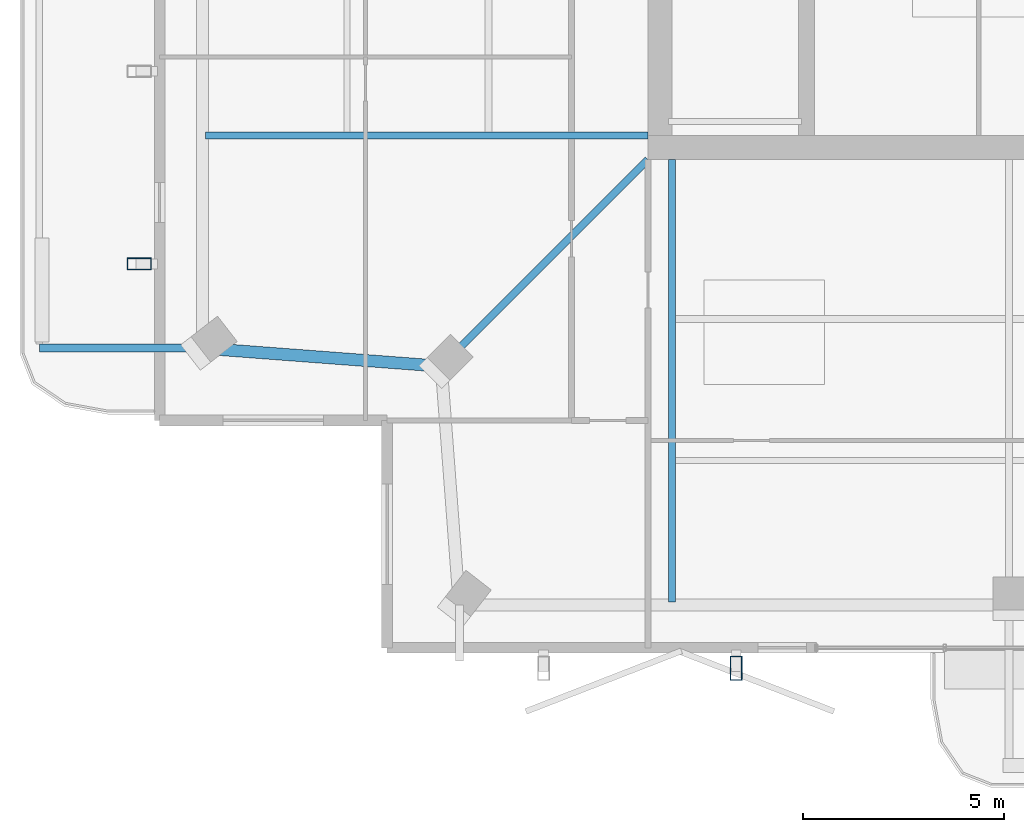
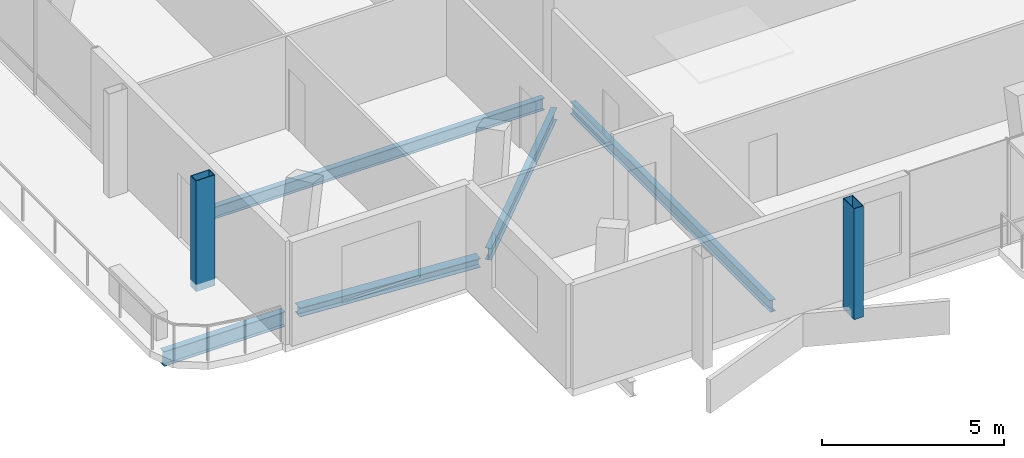
# One storey, part 2 of 20: 5 beams, 2 members.
"""IFC4 building model written with IfcOpenShell, lengths in metres."""

from ifc_helpers import new_model, si_unit, direction, frame, origin, origin_2d, place, context, subcontext, project, spatial, hollow_rectangle, i_section, extrude, material, material_profile, profile_set, type_object, element, save


model = new_model("IFC4")

# Units and contexts
model_context = context("Model", 3, precision=1e-05, world=origin(), true_north=direction((0.0, 1.0)))
body_context = subcontext(model_context, "Body", "Model", "MODEL_VIEW")
ifc_project = project(units=[si_unit("LENGTHUNIT", "METRE"), si_unit("AREAUNIT", "SQUARE_METRE"), si_unit("VOLUMEUNIT", "CUBIC_METRE"), si_unit("PLANEANGLEUNIT", "RADIAN"), si_unit("MASSUNIT", "GRAM", prefix="KILO")], contexts=[model_context])

# Site, building, storey
site_placement = place(None, origin())
site = spatial("IfcSite", under=ifc_project, at=site_placement, CompositionType="ELEMENT")
building_placement = place(site_placement, origin())
building = spatial("IfcBuilding", under=site, at=building_placement, Name="Belovzor Exchange Tower", CompositionType="ELEMENT")
storey_placement = place(building_placement, frame((0.0, 0.0, 351.75)))
storey = spatial("IfcBuildingStorey", under=building, at=storey_placement, Name="L88", CompositionType="ELEMENT", Elevation=351.75)

# Beam
ifc_material_1 = material(Name="Steel S355", Category="steel")
ifc_material_profile_1 = material_profile(ifc_material_1, i_section(OverallWidth=0.199951171875, OverallDepth=0.5, WebThickness=0.01025390625, FlangeThickness=0.01611328125, at=origin_2d()))
ifc_profile_set_1 = profile_set([ifc_material_profile_1], Name="Steel S355")
beam_type_1 = type_object("IfcBeamType", Name="Planted Balcony Cantilever Beam IPE 500", PredefinedType="BEAM", material=ifc_profile_set_1)
beam_1_placement = place(storey_placement, frame((8.47998046875, 15.10009765625, -0.489990234375), z_axis=(-1.0, 0.0, 0.0), x_axis=(0.0, -1.0, 0.0)))
element("IfcBeam", 1, at=beam_1_placement, inside=storey, type_object=beam_type_1, Name="BC-500 Planted Balcony Cantilever Beam IPE 500", PredefinedType="BEAM", context=body_context, shape_type="SweptSolid", body=[
    extrude(i_section(OverallWidth=0.199951171875, OverallDepth=0.5, WebThickness=0.01025390625, FlangeThickness=0.01611328125, at=origin_2d()), origin(), (0.0, 0.0, 1.0), 3.85009765625),
])

# Members
ifc_material_2 = material(Name="Extruded Architectural Terracotta on Steel S355 Carrier", Category="masonry")
ifc_material_profile_2 = material_profile(ifc_material_2, hollow_rectangle(XDim=0.300048828125, YDim=0.60009765625, WallThickness=0.01611328125, at=origin_2d()))
ifc_profile_set_2 = profile_set([ifc_material_profile_2], Name="Extruded Architectural Terracotta on Steel S355 Carrier")
member_type = type_object("IfcMemberType", Name="Upper Crown Terracotta Fin Assembly 550", PredefinedType="USERDEFINED", material=ifc_profile_set_2)
for number, where, z_axis, x_axis, name in (
    (2, (7.125, 17.199951171875, -0.239990234375), (0.0, 0.0, 1.0), (0.0, 1.0, 0.0), "FIN-TC055 Terracotta Facade Fin L88 W1"),
    (3, (22.0, 7.125, -0.239990234375), (0.0, 0.0, 1.0), (1.0, 0.0, 0.0), "FIN-TC055 Terracotta Facade Fin L88 S2"),
):
    element("IfcMember", number, at=place(storey_placement, frame(where, z_axis=z_axis, x_axis=x_axis)), inside=storey, type_object=member_type, Name=name, ObjectType="FIN", PredefinedType="USERDEFINED", context=body_context, shape_type="SweptSolid", body=[
        extrude(hollow_rectangle(XDim=0.300048828125, YDim=0.60009765625, WallThickness=0.01611328125, at=origin_2d()), origin(), (0.0, 0.0, 1.0), 3.72998046875),
    ])

# Beams
ifc_material_3 = material(Name="Steel S355", Category="steel")
ifc_material_profile_3 = material_profile(ifc_material_3, i_section(OverallWidth=0.179931640625, OverallDepth=0.39990234375, WebThickness=0.008544921875, FlangeThickness=0.013427734375, at=origin_2d()))
ifc_profile_set_3 = profile_set([ifc_material_profile_3], Name="Steel S355")
beam_type_2 = type_object("IfcBeamType", Name="Zone 5-6 Radial Composite Floor Beam IPE 400", PredefinedType="BEAM", material=ifc_profile_set_3)
for number, where, z_axis, x_axis, name in (
    (4, (20.39990234375, 19.800048828125, -0.43994140625), (0.0, -1.0, 0.0), (1.0, 0.0, 0.0), "FB-400 Zone 5-6 Radial Composite Floor Beam IPE 400"),
    (5, (19.800048828125, 20.39990234375, -0.43994140625), (-1.0, 0.0, 0.0), (0.0, -1.0, 0.0), "FB-400 Zone 5-6 Radial Composite Floor Beam IPE 400"),
):
    element("IfcBeam", number, at=place(storey_placement, frame(where, z_axis=z_axis, x_axis=x_axis)), inside=storey, type_object=beam_type_2, Name=name, PredefinedType="BEAM", context=body_context, shape_type="SweptSolid", body=[
        extrude(i_section(OverallWidth=0.179931640625, OverallDepth=0.39990234375, WebThickness=0.008544921875, FlangeThickness=0.013427734375, at=origin_2d()), origin(), (0.0, 0.0, 1.0), 11.025146484375),
    ])
beam_2_placement = place(storey_placement, frame((19.800048828125, 19.800048828125, -0.43994140625), z_axis=(-0.707106781187, -0.707106781187, 0.0), x_axis=(0.707106781187, -0.707106781187, 0.0)))
element("IfcBeam", 6, at=beam_2_placement, inside=storey, type_object=beam_type_2, Name="FB-400 Zone 5-6 Radial Composite Floor Beam IPE 400", PredefinedType="BEAM", context=body_context, shape_type="SweptSolid", body=[
    extrude(i_section(OverallWidth=0.179931640625, OverallDepth=0.39990234375, WebThickness=0.008544921875, FlangeThickness=0.013427734375, at=origin_2d()), origin(), (0.0, 0.0, 1.0), 7.000244140625),
])
ifc_material_4 = material(Name="Steel S355", Category="steel")
ifc_material_profile_4 = material_profile(ifc_material_4, i_section(OverallWidth=0.300048828125, OverallDepth=0.300048828125, WebThickness=0.008544921875, FlangeThickness=0.013916015625, at=origin_2d()))
ifc_profile_set_4 = profile_set([ifc_material_profile_4], Name="Steel S355")
beam_type_3 = type_object("IfcBeamType", Name="Zone 6 Primary Girder HEA 300", PredefinedType="BEAM", material=ifc_profile_set_4)
beam_3_placement = place(storey_placement, frame((8.9189453125, 15.0830078125, -0.389892578125), z_axis=(0.99716387033, -0.075260983968, 0.0), x_axis=(0.075260983968, 0.99716387033, 0.0)))
element("IfcBeam", 7, at=beam_3_placement, inside=storey, type_object=beam_type_3, Name="FG-Z6 Zone 6 Primary Girder HEA 300", PredefinedType="BEAM", context=body_context, shape_type="SweptSolid", body=[
    extrude(i_section(OverallWidth=0.300048828125, OverallDepth=0.300048828125, WebThickness=0.008544921875, FlangeThickness=0.013916015625, at=origin_2d()), origin(), (0.0, 0.0, 1.0), 5.527587890625),
])

save(model, "model.ifc")
